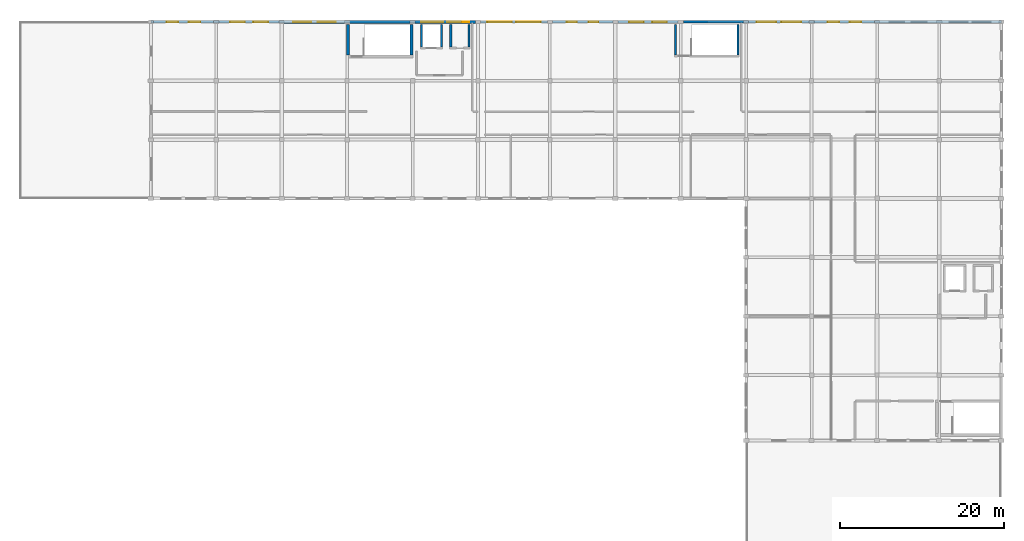
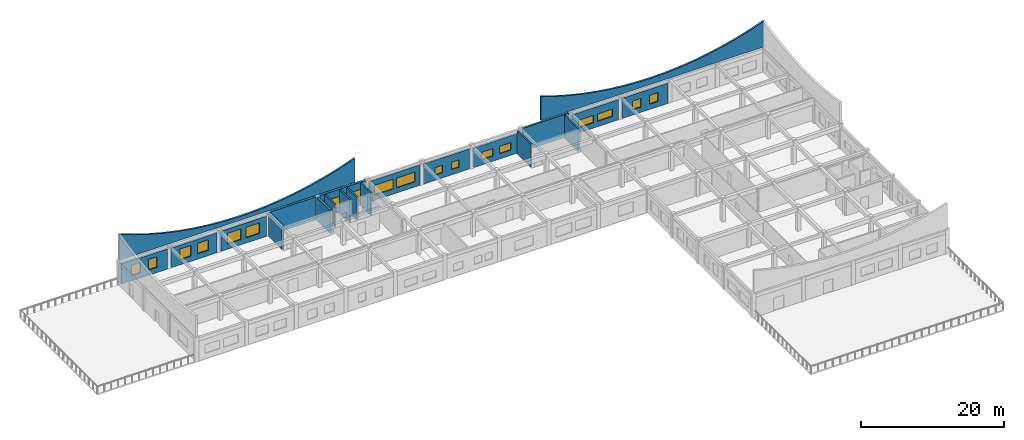
# One storey, part 8 of 10: 21 walls, 18 windows, 18 openings.
"""IFC4 building model written with IfcOpenShell, lengths in metres."""

from ifc_helpers import new_model, si_unit, direction, frame, frame_2d, origin, place, context, subcontext, project, spatial, polyline, rectangle, outline, extrude, material, layer, layer_set, type_object, element, fill, save


model = new_model("IFC4")

# Units and contexts
model_context = context("Model", 3, precision=1e-05, world=origin(), true_north=direction((0.0, 1.0)))
body_context = subcontext(model_context, "Body", "Model", "MODEL_VIEW")
ifc_project = project(units=[si_unit("LENGTHUNIT", "METRE"), si_unit("AREAUNIT", "SQUARE_METRE"), si_unit("VOLUMEUNIT", "CUBIC_METRE"), si_unit("PLANEANGLEUNIT", "RADIAN"), si_unit("MASSUNIT", "GRAM", prefix="KILO")], contexts=[model_context])

# Site, building, storey
site_placement = place(None, origin())
site = spatial("IfcSite", under=ifc_project, at=site_placement, CompositionType="ELEMENT")
building_placement = place(site_placement, origin())
building = spatial("IfcBuilding", under=site, at=building_placement, Name="Kharva Crest Polytechnic", CompositionType="ELEMENT")
storey_placement = place(building_placement, frame((0.0, 0.0, 25.800048828125)))
storey = spatial("IfcBuildingStorey", under=building, at=storey_placement, Name="L06", CompositionType="ELEMENT", Elevation=25.800048828125)

# Walls
ifc_material_1 = material(Name="Concrete C40/50", Category="concrete")
ifc_layer_1 = layer(ifc_material_1, 0.35009765625, Name="Concrete C40/50")
ifc_layer_set_1 = layer_set([ifc_layer_1], Name="Concrete C40/50")
wall_type_1 = type_object("IfcWallType", Name="WL-CORE-CW1-350", PredefinedType="SHEAR", material=ifc_layer_set_1)
for number, where, z_axis, x_axis, name in (
    (1, (104.125, 117.93994140625, 0.0), (0.0, 0.0, 1.0), (0.0, 1.0, 0.0), "L06 North Crest Firefighting Core C4 West Shear Wall"),
    (2, (111.875, 117.93994140625, 0.0), (0.0, 0.0, 1.0), (0.0, 1.0, 0.0), "L06 North Crest Firefighting Core C4 East Shear Wall"),
):
    element("IfcWall", number, at=place(storey_placement, frame(where, z_axis=z_axis, x_axis=x_axis)), inside=storey, type_object=wall_type_1, Name=name, PredefinedType="SHEAR", context=body_context, shape_type="SweptSolid", body=[
        extrude(rectangle(XDim=3.760009765625, YDim=0.35009765625, at=frame_2d((1.8798828125, 0.0))), origin(), (0.0, 0.0, 1.0), 3.919921875),
    ])

# Wall, openings, windows
ifc_material_2 = material(Name="Kiln brick masonry", Category="masonry")
ifc_layer_2 = layer(ifc_material_2, 0.260009765625, Name="Kiln brick masonry")
ifc_layer_set_2 = layer_set([ifc_layer_2], Name="Kiln brick masonry")
wall_type_2 = type_object("IfcWallType", Name="WL-EXT-BRK-260", PredefinedType="SOLIDWALL", material=ifc_layer_set_2)
wall_1_placement = place(storey_placement, frame((128.47998046875, 122.0, 0.0), z_axis=(0.0, 0.0, 1.0), x_axis=(-1.0, 0.0, 0.0)))
wall_1 = element("IfcWall", 3, at=wall_1_placement, inside=storey, type_object=wall_type_2, Name="L06 Exterior Brick Wall 480", PredefinedType="SOLIDWALL", context=body_context, shape_type="SweptSolid", body=[
    extrude(rectangle(XDim=8.159912109375, YDim=0.260009765625, at=frame_2d((4.080078125, 0.0))), origin(), (0.0, 0.0, 1.0), 3.474853515625),
])
opening_1_placement = place(wall_1_placement, frame((0.826904296875, 0.0, 0.89990234375)))
opening_1 = element("IfcOpeningElement", 4, at=opening_1_placement, cuts=wall_1, Name="Opening W23", PredefinedType="OPENING", context=body_context, shape_type="SweptSolid", body=[
    extrude(rectangle(XDim=3.0, YDim=1.64990234375, at=frame_2d((1.5, 0.824951171875))), frame((0.0, 0.139892578125, 0.0), z_axis=(0.0, -1.0, 0.0), x_axis=(1.0, 0.0, 0.0)), (0.0, 0.0, 1.0), 0.280029296875),
])
opening_2_placement = place(wall_1_placement, frame((4.3330078125, 0.0, 0.89990234375)))
opening_2 = element("IfcOpeningElement", 5, at=opening_2_placement, cuts=wall_1, Name="Opening W23", PredefinedType="OPENING", context=body_context, shape_type="SweptSolid", body=[
    extrude(rectangle(XDim=3.0, YDim=1.64990234375, at=frame_2d((1.5, 0.824951171875))), frame((0.0, 0.139892578125, 0.0), z_axis=(0.0, -1.0, 0.0), x_axis=(1.0, 0.0, 0.0)), (0.0, 0.0, 1.0), 0.280029296875),
])
ifc_material_3 = material(Name="Anodised aluminium", Category="aluminium")
window_type_1 = type_object("IfcWindowType", Name="WIN-ALU-3000X1650", PartitioningType="SINGLE_PANEL", PredefinedType="WINDOW", material=ifc_material_3)
window_1_placement = place(opening_1_placement, origin())
window_1 = element("IfcWindow", 6, at=window_1_placement, inside=storey, type_object=window_type_1, Name="L06 Exterior Window 688", OverallHeight=1.64990234375, OverallWidth=3.0, PartitioningType="SINGLE_PANEL", PredefinedType="WINDOW", context=body_context, shape_type="SweptSolid", body=[
    extrude(rectangle(XDim=3.0, YDim=1.64990234375, at=frame_2d((1.5, 0.824951171875))), frame((0.0, 0.030029296875, 0.0), z_axis=(0.0, -1.0, 0.0), x_axis=(1.0, 0.0, 0.0)), (0.0, 0.0, 1.0), 0.06005859375),
])
fill(opening_1, window_1)
window_2_placement = place(opening_2_placement, origin())
window_2 = element("IfcWindow", 7, at=window_2_placement, inside=storey, type_object=window_type_1, Name="L06 Exterior Window 689", OverallHeight=1.64990234375, OverallWidth=3.0, PartitioningType="SINGLE_PANEL", PredefinedType="WINDOW", context=body_context, shape_type="SweptSolid", body=[
    extrude(rectangle(XDim=3.0, YDim=1.64990234375, at=frame_2d((1.5, 0.824951171875))), frame((0.0, 0.030029296875, 0.0), z_axis=(0.0, -1.0, 0.0), x_axis=(1.0, 0.0, 0.0)), (0.0, 0.0, 1.0), 0.06005859375),
])
fill(opening_2, window_2)

ifc_layer_3 = layer(ifc_material_2, 0.27490234375, Name="Kiln brick masonry")
ifc_layer_set_3 = layer_set([ifc_layer_3], Name="Kiln brick masonry")
wall_type_3 = type_object("IfcWallType", Name="WL-EXT-BRK-275", PredefinedType="SOLIDWALL", material=ifc_layer_set_3)
wall_2_placement = place(storey_placement, frame((136.4951171875, 122.0, 0.0), z_axis=(0.0, 0.0, 1.0), x_axis=(-1.0, 0.0, 0.0)))
wall_2 = element("IfcWall", 8, at=wall_2_placement, inside=storey, type_object=wall_type_3, Name="L06 Exterior Brick Wall 479", PredefinedType="SOLIDWALL", context=body_context, shape_type="SweptSolid", body=[
    extrude(rectangle(XDim=7.375, YDim=0.27490234375, at=frame_2d((3.6875, 0.0))), origin(), (0.0, 0.0, 1.0), 3.425048828125),
])
opening_3_placement = place(wall_2_placement, frame((1.764892578125, 0.0, 0.89990234375)))
opening_3 = element("IfcOpeningElement", 9, at=opening_3_placement, cuts=wall_2, Name="Opening W21", PredefinedType="OPENING", context=body_context, shape_type="SweptSolid", body=[
    extrude(rectangle(XDim=1.199951171875, YDim=1.25, at=frame_2d((0.60009765625, 0.625))), frame((0.0, 0.1474609375, 0.0), z_axis=(0.0, -1.0, 0.0), x_axis=(1.0, 0.0, 0.0)), (0.0, 0.0, 1.0), 0.294921875),
])
opening_4_placement = place(wall_2_placement, frame((4.409912109375, 0.0, 0.89990234375)))
opening_4 = element("IfcOpeningElement", 10, at=opening_4_placement, cuts=wall_2, Name="Opening W21", PredefinedType="OPENING", context=body_context, shape_type="SweptSolid", body=[
    extrude(rectangle(XDim=1.199951171875, YDim=1.25, at=frame_2d((0.60009765625, 0.625))), frame((0.0, 0.1474609375, 0.0), z_axis=(0.0, -1.0, 0.0), x_axis=(1.0, 0.0, 0.0)), (0.0, 0.0, 1.0), 0.294921875),
])
window_type_2 = type_object("IfcWindowType", Name="WIN-ALU-1200X1250", PartitioningType="SINGLE_PANEL", PredefinedType="WINDOW", material=ifc_material_3)
window_3_placement = place(opening_3_placement, origin())
window_3 = element("IfcWindow", 11, at=window_3_placement, inside=storey, type_object=window_type_2, Name="L06 Exterior Window 686", OverallHeight=1.25, OverallWidth=1.199951171875, PartitioningType="SINGLE_PANEL", PredefinedType="WINDOW", context=body_context, shape_type="SweptSolid", body=[
    extrude(rectangle(XDim=1.199951171875, YDim=1.25, at=frame_2d((0.60009765625, 0.625))), frame((0.0, 0.030029296875, 0.0), z_axis=(0.0, -1.0, 0.0), x_axis=(1.0, 0.0, 0.0)), (0.0, 0.0, 1.0), 0.06005859375),
])
fill(opening_3, window_3)
window_4_placement = place(opening_4_placement, origin())
window_4 = element("IfcWindow", 12, at=window_4_placement, inside=storey, type_object=window_type_2, Name="L06 Exterior Window 687", OverallHeight=1.25, OverallWidth=1.199951171875, PartitioningType="SINGLE_PANEL", PredefinedType="WINDOW", context=body_context, shape_type="SweptSolid", body=[
    extrude(rectangle(XDim=1.199951171875, YDim=1.25, at=frame_2d((0.60009765625, 0.625))), frame((0.0, 0.030029296875, 0.0), z_axis=(0.0, -1.0, 0.0), x_axis=(1.0, 0.0, 0.0)), (0.0, 0.0, 1.0), 0.06005859375),
])
fill(opening_4, window_4)

ifc_layer_4 = layer(ifc_material_2, 0.2900390625, Name="Kiln brick masonry")
ifc_layer_set_4 = layer_set([ifc_layer_4], Name="Kiln brick masonry")
wall_type_4 = type_object("IfcWallType", Name="WL-EXT-BRK-290", PredefinedType="SOLIDWALL", material=ifc_layer_set_4)
wall_3_placement = place(storey_placement, frame((144.47998046875, 122.0, 0.0), z_axis=(0.0, 0.0, 1.0), x_axis=(-1.0, 0.0, 0.0)))
wall_3 = element("IfcWall", 13, at=wall_3_placement, inside=storey, type_object=wall_type_4, Name="L06 Exterior Brick Wall 478", PredefinedType="SOLIDWALL", context=body_context, shape_type="SweptSolid", body=[
    extrude(rectangle(XDim=7.375, YDim=0.2900390625, at=frame_2d((3.6875, 0.0))), origin(), (0.0, 0.0, 1.0), 3.324951171875),
])
opening_5_placement = place(wall_3_placement, frame((1.364990234375, 0.0, 0.89990234375)))
opening_5 = element("IfcOpeningElement", 14, at=opening_5_placement, cuts=wall_3, Name="Opening W19", PredefinedType="OPENING", context=body_context, shape_type="SweptSolid", body=[
    extrude(rectangle(XDim=1.800048828125, YDim=1.25, at=frame_2d((0.89990234375, 0.625))), frame((0.0, 0.155029296875, 0.0), z_axis=(0.0, -1.0, 0.0), x_axis=(1.0, 0.0, 0.0)), (0.0, 0.0, 1.0), 0.31005859375),
])
opening_6_placement = place(wall_3_placement, frame((4.2099609375, 0.0, 0.89990234375)))
opening_6 = element("IfcOpeningElement", 15, at=opening_6_placement, cuts=wall_3, Name="Opening W19", PredefinedType="OPENING", context=body_context, shape_type="SweptSolid", body=[
    extrude(rectangle(XDim=1.800048828125, YDim=1.25, at=frame_2d((0.89990234375, 0.625))), frame((0.0, 0.155029296875, 0.0), z_axis=(0.0, -1.0, 0.0), x_axis=(1.0, 0.0, 0.0)), (0.0, 0.0, 1.0), 0.31005859375),
])
window_type_3 = type_object("IfcWindowType", Name="WIN-ALU-1800X1250", PartitioningType="SINGLE_PANEL", PredefinedType="WINDOW", material=ifc_material_3)
window_5_placement = place(opening_5_placement, origin())
window_5 = element("IfcWindow", 16, at=window_5_placement, inside=storey, type_object=window_type_3, Name="L06 Exterior Window 684", OverallHeight=1.25, OverallWidth=1.800048828125, PartitioningType="SINGLE_PANEL", PredefinedType="WINDOW", context=body_context, shape_type="SweptSolid", body=[
    extrude(rectangle(XDim=1.800048828125, YDim=1.25, at=frame_2d((0.89990234375, 0.625))), frame((0.0, 0.030029296875, 0.0), z_axis=(0.0, -1.0, 0.0), x_axis=(1.0, 0.0, 0.0)), (0.0, 0.0, 1.0), 0.06005859375),
])
fill(opening_5, window_5)
window_6_placement = place(opening_6_placement, origin())
window_6 = element("IfcWindow", 17, at=window_6_placement, inside=storey, type_object=window_type_3, Name="L06 Exterior Window 685", OverallHeight=1.25, OverallWidth=1.800048828125, PartitioningType="SINGLE_PANEL", PredefinedType="WINDOW", context=body_context, shape_type="SweptSolid", body=[
    extrude(rectangle(XDim=1.800048828125, YDim=1.25, at=frame_2d((0.89990234375, 0.625))), frame((0.0, 0.030029296875, 0.0), z_axis=(0.0, -1.0, 0.0), x_axis=(1.0, 0.0, 0.0)), (0.0, 0.0, 1.0), 0.06005859375),
])
fill(opening_6, window_6)

# Wall
ifc_layer_5 = layer(ifc_material_2, 0.304931640625, Name="Kiln brick masonry")
ifc_layer_set_5 = layer_set([ifc_layer_5], Name="Kiln brick masonry")
wall_type_5 = type_object("IfcWallType", Name="WL-EXT-BRK-305", PredefinedType="SOLIDWALL", material=ifc_layer_set_5)
wall_4_placement = place(storey_placement, frame((152.4951171875, 122.0, 0.0), z_axis=(0.0, 0.0, 1.0), x_axis=(-1.0, 0.0, 0.0)))
element("IfcWall", 18, at=wall_4_placement, inside=storey, type_object=wall_type_5, Name="L06 Exterior Brick Wall 477", PredefinedType="SOLIDWALL", context=body_context, shape_type="SweptSolid", body=[
    extrude(rectangle(XDim=7.375, YDim=0.304931640625, at=frame_2d((3.6875, 0.0))), origin(), (0.0, 0.0, 1.0), 3.919921875),
])

# Wall, openings, windows
ifc_layer_6 = layer(ifc_material_2, 0.320068359375, Name="Kiln brick masonry")
ifc_layer_set_6 = layer_set([ifc_layer_6], Name="Kiln brick masonry")
wall_type_6 = type_object("IfcWallType", Name="WL-EXT-BRK-320", PredefinedType="SOLIDWALL", material=ifc_layer_set_6)
wall_5_placement = place(storey_placement, frame((160.47998046875, 122.0, 0.0), z_axis=(0.0, 0.0, 1.0), x_axis=(-1.0, 0.0, 0.0)))
wall_5 = element("IfcWall", 19, at=wall_5_placement, inside=storey, type_object=wall_type_6, Name="L06 Exterior Brick Wall 476", PredefinedType="SOLIDWALL", context=body_context, shape_type="SweptSolid", body=[
    extrude(rectangle(XDim=7.375, YDim=0.320068359375, at=frame_2d((3.6875, 0.0))), origin(), (0.0, 0.0, 1.0), 3.425048828125),
])
opening_7_placement = place(wall_5_placement, frame((0.965087890625, 0.0, 0.89990234375)))
opening_7 = element("IfcOpeningElement", 20, at=opening_7_placement, cuts=wall_5, Name="Opening W17", PredefinedType="OPENING", context=body_context, shape_type="SweptSolid", body=[
    extrude(rectangle(XDim=2.39990234375, YDim=1.25, at=frame_2d((1.199951171875, 0.625))), frame((0.0, 0.169921875, 0.0), z_axis=(0.0, -1.0, 0.0), x_axis=(1.0, 0.0, 0.0)), (0.0, 0.0, 1.0), 0.340087890625),
])
opening_8_placement = place(wall_5_placement, frame((4.010009765625, 0.0, 0.89990234375)))
opening_8 = element("IfcOpeningElement", 21, at=opening_8_placement, cuts=wall_5, Name="Opening W17", PredefinedType="OPENING", context=body_context, shape_type="SweptSolid", body=[
    extrude(rectangle(XDim=2.39990234375, YDim=1.25, at=frame_2d((1.199951171875, 0.625))), frame((0.0, 0.169921875, 0.0), z_axis=(0.0, -1.0, 0.0), x_axis=(1.0, 0.0, 0.0)), (0.0, 0.0, 1.0), 0.340087890625),
])
window_type_4 = type_object("IfcWindowType", Name="WIN-ALU-2400X1250", PartitioningType="SINGLE_PANEL", PredefinedType="WINDOW", material=ifc_material_3)
window_7_placement = place(opening_7_placement, origin())
window_7 = element("IfcWindow", 22, at=window_7_placement, inside=storey, type_object=window_type_4, Name="L06 Exterior Window 682", OverallHeight=1.25, OverallWidth=2.39990234375, PartitioningType="SINGLE_PANEL", PredefinedType="WINDOW", context=body_context, shape_type="SweptSolid", body=[
    extrude(rectangle(XDim=2.39990234375, YDim=1.25, at=frame_2d((1.199951171875, 0.625))), frame((0.0, 0.030029296875, 0.0), z_axis=(0.0, -1.0, 0.0), x_axis=(1.0, 0.0, 0.0)), (0.0, 0.0, 1.0), 0.06005859375),
])
fill(opening_7, window_7)
window_8_placement = place(opening_8_placement, origin())
window_8 = element("IfcWindow", 23, at=window_8_placement, inside=storey, type_object=window_type_4, Name="L06 Exterior Window 683", OverallHeight=1.25, OverallWidth=2.39990234375, PartitioningType="SINGLE_PANEL", PredefinedType="WINDOW", context=body_context, shape_type="SweptSolid", body=[
    extrude(rectangle(XDim=2.39990234375, YDim=1.25, at=frame_2d((1.199951171875, 0.625))), frame((0.0, 0.030029296875, 0.0), z_axis=(0.0, -1.0, 0.0), x_axis=(1.0, 0.0, 0.0)), (0.0, 0.0, 1.0), 0.06005859375),
])
fill(opening_8, window_8)

wall_6_placement = place(storey_placement, frame((87.679931640625, 122.0, 0.0), z_axis=(0.0, 0.0, 1.0), x_axis=(-1.0, 0.0, 0.0)))
wall_6 = element("IfcWall", 24, at=wall_6_placement, inside=storey, type_object=wall_type_6, Name="L06 Exterior Brick Wall 485", PredefinedType="SOLIDWALL", context=body_context, shape_type="SweptSolid", body=[
    extrude(rectangle(XDim=7.375, YDim=0.320068359375, at=frame_2d((3.6875, 0.0))), origin(), (0.0, 0.0, 1.0), 3.425048828125),
])
opening_9_placement = place(wall_6_placement, frame((1.632080078125, 0.0, 0.89990234375)))
opening_9 = element("IfcOpeningElement", 25, at=opening_9_placement, cuts=wall_6, Name="Opening W07", PredefinedType="OPENING", context=body_context, shape_type="SweptSolid", body=[
    extrude(rectangle(XDim=1.39990234375, YDim=1.800048828125, at=frame_2d((0.699951171875, 0.89990234375))), frame((0.0, 0.169921875, 0.0), z_axis=(0.0, -1.0, 0.0), x_axis=(1.0, 0.0, 0.0)), (0.0, 0.0, 1.0), 0.340087890625),
])
opening_10_placement = place(wall_6_placement, frame((4.343017578125, 0.0, 0.89990234375)))
opening_10 = element("IfcOpeningElement", 26, at=opening_10_placement, cuts=wall_6, Name="Opening W07", PredefinedType="OPENING", context=body_context, shape_type="SweptSolid", body=[
    extrude(rectangle(XDim=1.39990234375, YDim=1.800048828125, at=frame_2d((0.699951171875, 0.89990234375))), frame((0.0, 0.169921875, 0.0), z_axis=(0.0, -1.0, 0.0), x_axis=(1.0, 0.0, 0.0)), (0.0, 0.0, 1.0), 0.340087890625),
])
window_type_5 = type_object("IfcWindowType", Name="WIN-ALU-1400X1800", PartitioningType="SINGLE_PANEL", PredefinedType="WINDOW", material=ifc_material_3)
window_9_placement = place(opening_9_placement, origin())
window_9 = element("IfcWindow", 27, at=window_9_placement, inside=storey, type_object=window_type_5, Name="L06 Exterior Window 696", OverallHeight=1.800048828125, OverallWidth=1.39990234375, PartitioningType="SINGLE_PANEL", PredefinedType="WINDOW", context=body_context, shape_type="SweptSolid", body=[
    extrude(rectangle(XDim=1.39990234375, YDim=1.800048828125, at=frame_2d((0.699951171875, 0.89990234375))), frame((0.0, 0.030029296875, 0.0), z_axis=(0.0, -1.0, 0.0), x_axis=(1.0, 0.0, 0.0)), (0.0, 0.0, 1.0), 0.06005859375),
])
fill(opening_9, window_9)
window_10_placement = place(opening_10_placement, origin())
window_10 = element("IfcWindow", 28, at=window_10_placement, inside=storey, type_object=window_type_5, Name="L06 Exterior Window 697", OverallHeight=1.800048828125, OverallWidth=1.39990234375, PartitioningType="SINGLE_PANEL", PredefinedType="WINDOW", context=body_context, shape_type="SweptSolid", body=[
    extrude(rectangle(XDim=1.39990234375, YDim=1.800048828125, at=frame_2d((0.699951171875, 0.89990234375))), frame((0.0, 0.030029296875, 0.0), z_axis=(0.0, -1.0, 0.0), x_axis=(1.0, 0.0, 0.0)), (0.0, 0.0, 1.0), 0.06005859375),
])
fill(opening_10, window_10)

ifc_layer_7 = layer(ifc_material_2, 0.3349609375, Name="Kiln brick masonry")
ifc_layer_set_7 = layer_set([ifc_layer_7], Name="Kiln brick masonry")
wall_type_7 = type_object("IfcWallType", Name="WL-EXT-BRK-335", PredefinedType="SOLIDWALL", material=ifc_layer_set_7)
wall_7_placement = place(storey_placement, frame((168.4951171875, 122.0, 0.0), z_axis=(0.0, 0.0, 1.0), x_axis=(-1.0, 0.0, 0.0)))
wall_7 = element("IfcWall", 29, at=wall_7_placement, inside=storey, type_object=wall_type_7, Name="L06 Exterior Brick Wall 475", PredefinedType="SOLIDWALL", context=body_context, shape_type="SweptSolid", body=[
    extrude(rectangle(XDim=7.375, YDim=0.3349609375, at=frame_2d((3.6875, 0.0))), origin(), (0.0, 0.0, 1.0), 3.425048828125),
])
opening_11_placement = place(wall_7_placement, frame((1.632080078125, 0.0, 0.89990234375)))
opening_11 = element("IfcOpeningElement", 30, at=opening_11_placement, cuts=wall_7, Name="Opening W15", PredefinedType="OPENING", context=body_context, shape_type="SweptSolid", body=[
    extrude(rectangle(XDim=1.39990234375, YDim=1.5, at=frame_2d((0.699951171875, 0.75))), frame((0.0, 0.177490234375, 0.0), z_axis=(0.0, -1.0, 0.0), x_axis=(1.0, 0.0, 0.0)), (0.0, 0.0, 1.0), 0.35498046875),
])
opening_12_placement = place(wall_7_placement, frame((4.343017578125, 0.0, 0.89990234375)))
opening_12 = element("IfcOpeningElement", 31, at=opening_12_placement, cuts=wall_7, Name="Opening W15", PredefinedType="OPENING", context=body_context, shape_type="SweptSolid", body=[
    extrude(rectangle(XDim=1.39990234375, YDim=1.5, at=frame_2d((0.699951171875, 0.75))), frame((0.0, 0.177490234375, 0.0), z_axis=(0.0, -1.0, 0.0), x_axis=(1.0, 0.0, 0.0)), (0.0, 0.0, 1.0), 0.35498046875),
])
window_type_6 = type_object("IfcWindowType", Name="WIN-ALU-1400X1500", PartitioningType="SINGLE_PANEL", PredefinedType="WINDOW", material=ifc_material_3)
window_11_placement = place(opening_11_placement, origin())
window_11 = element("IfcWindow", 32, at=window_11_placement, inside=storey, type_object=window_type_6, Name="L06 Exterior Window 680", OverallHeight=1.5, OverallWidth=1.39990234375, PartitioningType="SINGLE_PANEL", PredefinedType="WINDOW", context=body_context, shape_type="SweptSolid", body=[
    extrude(rectangle(XDim=1.39990234375, YDim=1.5, at=frame_2d((0.699951171875, 0.75))), frame((0.0, 0.030029296875, 0.0), z_axis=(0.0, -1.0, 0.0), x_axis=(1.0, 0.0, 0.0)), (0.0, 0.0, 1.0), 0.06005859375),
])
fill(opening_11, window_11)
window_12_placement = place(opening_12_placement, origin())
window_12 = element("IfcWindow", 33, at=window_12_placement, inside=storey, type_object=window_type_6, Name="L06 Exterior Window 681", OverallHeight=1.5, OverallWidth=1.39990234375, PartitioningType="SINGLE_PANEL", PredefinedType="WINDOW", context=body_context, shape_type="SweptSolid", body=[
    extrude(rectangle(XDim=1.39990234375, YDim=1.5, at=frame_2d((0.699951171875, 0.75))), frame((0.0, 0.030029296875, 0.0), z_axis=(0.0, -1.0, 0.0), x_axis=(1.0, 0.0, 0.0)), (0.0, 0.0, 1.0), 0.06005859375),
])
fill(opening_12, window_12)

wall_8_placement = place(storey_placement, frame((95.695068359375, 122.0, 0.0), z_axis=(0.0, 0.0, 1.0), x_axis=(-1.0, 0.0, 0.0)))
wall_8 = element("IfcWall", 34, at=wall_8_placement, inside=storey, type_object=wall_type_7, Name="L06 Exterior Brick Wall 484", PredefinedType="SOLIDWALL", context=body_context, shape_type="SweptSolid", body=[
    extrude(rectangle(XDim=7.375, YDim=0.3349609375, at=frame_2d((3.6875, 0.0))), origin(), (0.0, 0.0, 1.0), 3.375),
])
opening_13_placement = place(wall_8_placement, frame((1.364990234375, 0.0, 0.89990234375)))
opening_13 = element("IfcOpeningElement", 35, at=opening_13_placement, cuts=wall_8, Name="Opening W05", PredefinedType="OPENING", context=body_context, shape_type="SweptSolid", body=[
    extrude(rectangle(XDim=1.800048828125, YDim=1.800048828125, at=frame_2d((0.89990234375, 0.89990234375))), frame((0.0, 0.177490234375, 0.0), z_axis=(0.0, -1.0, 0.0), x_axis=(1.0, 0.0, 0.0)), (0.0, 0.0, 1.0), 0.35498046875),
])
opening_14_placement = place(wall_8_placement, frame((4.2099609375, 0.0, 0.89990234375)))
opening_14 = element("IfcOpeningElement", 36, at=opening_14_placement, cuts=wall_8, Name="Opening W05", PredefinedType="OPENING", context=body_context, shape_type="SweptSolid", body=[
    extrude(rectangle(XDim=1.800048828125, YDim=1.800048828125, at=frame_2d((0.89990234375, 0.89990234375))), frame((0.0, 0.177490234375, 0.0), z_axis=(0.0, -1.0, 0.0), x_axis=(1.0, 0.0, 0.0)), (0.0, 0.0, 1.0), 0.35498046875),
])
window_type_7 = type_object("IfcWindowType", Name="WIN-ALU-1800X1800", PartitioningType="SINGLE_PANEL", PredefinedType="WINDOW", material=ifc_material_3)
window_13_placement = place(opening_13_placement, origin())
window_13 = element("IfcWindow", 37, at=window_13_placement, inside=storey, type_object=window_type_7, Name="L06 Exterior Window 694", OverallHeight=1.800048828125, OverallWidth=1.800048828125, PartitioningType="SINGLE_PANEL", PredefinedType="WINDOW", context=body_context, shape_type="SweptSolid", body=[
    extrude(rectangle(XDim=1.800048828125, YDim=1.800048828125, at=frame_2d((0.89990234375, 0.89990234375))), frame((0.0, 0.030029296875, 0.0), z_axis=(0.0, -1.0, 0.0), x_axis=(1.0, 0.0, 0.0)), (0.0, 0.0, 1.0), 0.06005859375),
])
fill(opening_13, window_13)
window_14_placement = place(opening_14_placement, origin())
window_14 = element("IfcWindow", 38, at=window_14_placement, inside=storey, type_object=window_type_7, Name="L06 Exterior Window 695", OverallHeight=1.800048828125, OverallWidth=1.800048828125, PartitioningType="SINGLE_PANEL", PredefinedType="WINDOW", context=body_context, shape_type="SweptSolid", body=[
    extrude(rectangle(XDim=1.800048828125, YDim=1.800048828125, at=frame_2d((0.89990234375, 0.89990234375))), frame((0.0, 0.030029296875, 0.0), z_axis=(0.0, -1.0, 0.0), x_axis=(1.0, 0.0, 0.0)), (0.0, 0.0, 1.0), 0.06005859375),
])
fill(opening_14, window_14)

ifc_layer_8 = layer(ifc_material_2, 0.35009765625, Name="Kiln brick masonry")
ifc_layer_set_8 = layer_set([ifc_layer_8], Name="Kiln brick masonry")
wall_type_8 = type_object("IfcWallType", Name="WL-EXT-BRK-350", PredefinedType="SOLIDWALL", material=ifc_layer_set_8)
wall_9_placement = place(storey_placement, frame((103.679931640625, 122.0, 0.0), z_axis=(0.0, 0.0, 1.0), x_axis=(-1.0, 0.0, 0.0)))
wall_9 = element("IfcWall", 39, at=wall_9_placement, inside=storey, type_object=wall_type_8, Name="L06 Exterior Brick Wall 483", PredefinedType="SOLIDWALL", context=body_context, shape_type="SweptSolid", body=[
    extrude(rectangle(XDim=7.375, YDim=0.35009765625, at=frame_2d((3.6875, 0.0))), origin(), (0.0, 0.0, 1.0), 3.425048828125),
])
opening_15_placement = place(wall_9_placement, frame((1.097900390625, 0.0, 0.89990234375)))
opening_15 = element("IfcOpeningElement", 40, at=opening_15_placement, cuts=wall_9, Name="Opening W03", PredefinedType="OPENING", context=body_context, shape_type="SweptSolid", body=[
    extrude(rectangle(XDim=2.199951171875, YDim=1.800048828125, at=frame_2d((1.10009765625, 0.89990234375))), frame((0.0, 0.18505859375, 0.0), z_axis=(0.0, -1.0, 0.0), x_axis=(1.0, 0.0, 0.0)), (0.0, 0.0, 1.0), 0.3701171875),
])
opening_16_placement = place(wall_9_placement, frame((4.076904296875, 0.0, 0.89990234375)))
opening_16 = element("IfcOpeningElement", 41, at=opening_16_placement, cuts=wall_9, Name="Opening W03", PredefinedType="OPENING", context=body_context, shape_type="SweptSolid", body=[
    extrude(rectangle(XDim=2.199951171875, YDim=1.800048828125, at=frame_2d((1.10009765625, 0.89990234375))), frame((0.0, 0.18505859375, 0.0), z_axis=(0.0, -1.0, 0.0), x_axis=(1.0, 0.0, 0.0)), (0.0, 0.0, 1.0), 0.3701171875),
])
window_type_8 = type_object("IfcWindowType", Name="WIN-ALU-2200X1800", PartitioningType="SINGLE_PANEL", PredefinedType="WINDOW", material=ifc_material_3)
window_15_placement = place(opening_15_placement, origin())
window_15 = element("IfcWindow", 42, at=window_15_placement, inside=storey, type_object=window_type_8, Name="L06 Exterior Window 692", OverallHeight=1.800048828125, OverallWidth=2.199951171875, PartitioningType="SINGLE_PANEL", PredefinedType="WINDOW", context=body_context, shape_type="SweptSolid", body=[
    extrude(rectangle(XDim=2.199951171875, YDim=1.800048828125, at=frame_2d((1.10009765625, 0.89990234375))), frame((0.0, 0.030029296875, 0.0), z_axis=(0.0, -1.0, 0.0), x_axis=(1.0, 0.0, 0.0)), (0.0, 0.0, 1.0), 0.06005859375),
])
fill(opening_15, window_15)
window_16_placement = place(opening_16_placement, origin())
window_16 = element("IfcWindow", 43, at=window_16_placement, inside=storey, type_object=window_type_8, Name="L06 Exterior Window 693", OverallHeight=1.800048828125, OverallWidth=2.199951171875, PartitioningType="SINGLE_PANEL", PredefinedType="WINDOW", context=body_context, shape_type="SweptSolid", body=[
    extrude(rectangle(XDim=2.199951171875, YDim=1.800048828125, at=frame_2d((1.10009765625, 0.89990234375))), frame((0.0, 0.030029296875, 0.0), z_axis=(0.0, -1.0, 0.0), x_axis=(1.0, 0.0, 0.0)), (0.0, 0.0, 1.0), 0.06005859375),
])
fill(opening_16, window_16)

# Wall
ifc_layer_9 = layer(ifc_material_2, 0.364990234375, Name="Kiln brick masonry")
ifc_layer_set_9 = layer_set([ifc_layer_9], Name="Kiln brick masonry")
wall_type_9 = type_object("IfcWallType", Name="WL-EXT-BRK-365", PredefinedType="SOLIDWALL", material=ifc_layer_set_9)
wall_10_placement = place(storey_placement, frame((111.695068359375, 122.0, 0.0), z_axis=(0.0, 0.0, 1.0), x_axis=(-1.0, 0.0, 0.0)))
element("IfcWall", 44, at=wall_10_placement, inside=storey, type_object=wall_type_9, Name="L06 Exterior Brick Wall 482", PredefinedType="SOLIDWALL", context=body_context, shape_type="SweptSolid", body=[
    extrude(rectangle(XDim=7.375, YDim=0.364990234375, at=frame_2d((3.6875, 0.0))), origin(), (0.0, 0.0, 1.0), 3.919921875),
])

# Wall, openings, windows
ifc_layer_10 = layer(ifc_material_2, 0.3798828125, Name="Kiln brick masonry")
ifc_layer_set_10 = layer_set([ifc_layer_10], Name="Kiln brick masonry")
wall_type_10 = type_object("IfcWallType", Name="WL-EXT-BRK-380", PredefinedType="SOLIDWALL", material=ifc_layer_set_10)
wall_11_placement = place(storey_placement, frame((119.679931640625, 122.0, 0.0), z_axis=(0.0, 0.0, 1.0), x_axis=(-1.0, 0.0, 0.0)))
wall_11 = element("IfcWall", 45, at=wall_11_placement, inside=storey, type_object=wall_type_10, Name="L06 Exterior Brick Wall 481", PredefinedType="SOLIDWALL", context=body_context, shape_type="SweptSolid", body=[
    extrude(rectangle(XDim=7.375, YDim=0.3798828125, at=frame_2d((3.6875, 0.0))), origin(), (0.0, 0.0, 1.0), 3.919921875),
])
opening_17_placement = place(wall_11_placement, frame((0.764892578125, 0.0, 0.89990234375)))
opening_17 = element("IfcOpeningElement", 46, at=opening_17_placement, cuts=wall_11, Name="Opening W01", PredefinedType="OPENING", context=body_context, shape_type="SweptSolid", body=[
    extrude(rectangle(XDim=2.699951171875, YDim=1.800048828125, at=frame_2d((1.35009765625, 0.89990234375))), frame((0.0, 0.199951171875, 0.0), z_axis=(0.0, -1.0, 0.0), x_axis=(1.0, 0.0, 0.0)), (0.0, 0.0, 1.0), 0.39990234375),
])
opening_18_placement = place(wall_11_placement, frame((3.909912109375, 0.0, 0.89990234375)))
opening_18 = element("IfcOpeningElement", 47, at=opening_18_placement, cuts=wall_11, Name="Opening W01", PredefinedType="OPENING", context=body_context, shape_type="SweptSolid", body=[
    extrude(rectangle(XDim=2.699951171875, YDim=1.800048828125, at=frame_2d((1.35009765625, 0.89990234375))), frame((0.0, 0.199951171875, 0.0), z_axis=(0.0, -1.0, 0.0), x_axis=(1.0, 0.0, 0.0)), (0.0, 0.0, 1.0), 0.39990234375),
])
window_type_9 = type_object("IfcWindowType", Name="WIN-ALU-2700X1800", PartitioningType="SINGLE_PANEL", PredefinedType="WINDOW", material=ifc_material_3)
window_17_placement = place(opening_17_placement, origin())
window_17 = element("IfcWindow", 48, at=window_17_placement, inside=storey, type_object=window_type_9, Name="L06 Exterior Window 690", OverallHeight=1.800048828125, OverallWidth=2.699951171875, PartitioningType="SINGLE_PANEL", PredefinedType="WINDOW", context=body_context, shape_type="SweptSolid", body=[
    extrude(rectangle(XDim=2.699951171875, YDim=1.800048828125, at=frame_2d((1.35009765625, 0.89990234375))), frame((0.0, 0.030029296875, 0.0), z_axis=(0.0, -1.0, 0.0), x_axis=(1.0, 0.0, 0.0)), (0.0, 0.0, 1.0), 0.06005859375),
])
fill(opening_17, window_17)
window_18_placement = place(opening_18_placement, origin())
window_18 = element("IfcWindow", 49, at=window_18_placement, inside=storey, type_object=window_type_9, Name="L06 Exterior Window 691", OverallHeight=1.800048828125, OverallWidth=2.699951171875, PartitioningType="SINGLE_PANEL", PredefinedType="WINDOW", context=body_context, shape_type="SweptSolid", body=[
    extrude(rectangle(XDim=2.699951171875, YDim=1.800048828125, at=frame_2d((1.35009765625, 0.89990234375))), frame((0.0, 0.030029296875, 0.0), z_axis=(0.0, -1.0, 0.0), x_axis=(1.0, 0.0, 0.0)), (0.0, 0.0, 1.0), 0.06005859375),
])
fill(opening_18, window_18)

# Walls
ifc_layer_11 = layer(ifc_material_2, 0.294921875, Name="Kiln brick masonry")
ifc_layer_set_11 = layer_set([ifc_layer_11], Name="Kiln brick masonry")
wall_type_11 = type_object("IfcWallType", Name="WL-PAR-CREST-295", PredefinedType="PARAPET", material=ifc_layer_set_11)
wall_12_placement = place(storey_placement, frame((80.0, 122.0, 4.199951171875), z_axis=(0.0, 0.0, 1.0), x_axis=(1.0, 0.0, 0.0)))
element("IfcWall", 50, at=wall_12_placement, inside=storey, type_object=wall_type_11, Name="L06 Bowed Brick Gable Crest 4", PredefinedType="PARAPET", context=body_context, shape_type="SweptSolid", body=[
    extrude(outline(polyline([(0.0, 0.0), (38.0, 0.0), (38.0, 4.10009765625), (35.625, 3.254638671875), (33.25, 2.5361328125), (30.875, 1.938720703125), (28.5, 1.45849609375), (26.125, 1.091796875), (23.75, 0.836669921875), (21.375, 0.69091796875), (19.0, 0.654296875), (16.625, 0.725830078125), (14.25, 0.90673828125), (11.875, 1.197509765625), (9.5, 1.600341796875), (7.125, 2.117919921875), (4.75, 2.75390625), (2.375, 3.5126953125), (0.0, 4.39990234375), (0.0, 0.0)])), frame((0.0, 0.1474609375, 0.0), z_axis=(0.0, -1.0, 0.0), x_axis=(1.0, 0.0, 0.0)), (0.0, 0.0, 1.0), 0.294921875),
])
wall_13_placement = place(storey_placement, frame((148.0, 122.0, 4.199951171875), z_axis=(0.0, 0.0, 1.0), x_axis=(1.0, 0.0, 0.0)))
element("IfcWall", 51, at=wall_13_placement, inside=storey, type_object=wall_type_11, Name="L06 Bowed Brick Gable Crest 5", PredefinedType="PARAPET", context=body_context, shape_type="SweptSolid", body=[
    extrude(outline(polyline([(0.0, 0.0), (36.0, 0.0), (36.0, 4.39990234375), (33.75, 3.60693359375), (31.5, 2.92724609375), (29.25, 2.356689453125), (27.0, 1.89111328125), (24.75, 1.528076171875), (22.5, 1.265380859375), (20.25, 1.101318359375), (18.0, 1.034912109375), (15.75, 1.06591796875), (13.5, 1.194580078125), (11.25, 1.421630859375), (9.0, 1.748291015625), (6.75, 2.176513671875), (4.5, 2.708740234375), (2.25, 3.3486328125), (0.0, 4.10009765625), (0.0, 0.0)])), frame((0.0, 0.1474609375, 0.0), z_axis=(0.0, -1.0, 0.0), x_axis=(1.0, 0.0, 0.0)), (0.0, 0.0, 1.0), 0.294921875),
])
ifc_layer_12 = layer(ifc_material_1, 0.25, Name="Concrete C40/50")
ifc_layer_set_12 = layer_set([ifc_layer_12], Name="Concrete C40/50")
wall_type_12 = type_object("IfcWallType", Name="WL-SHEAR-SW1-250", PredefinedType="SHEAR", material=ifc_layer_set_12)
for number, where, z_axis, x_axis, name in (
    (52, (113.074951171875, 118.89990234375, 0.0), (0.0, 0.0, 1.0), (0.0, 1.0, 0.0), "L06 Lift FL1 West Shaft Wall"),
    (53, (115.52490234375, 118.89990234375, 0.0), (0.0, 0.0, 1.0), (0.0, 1.0, 0.0), "L06 Lift FL1 East Shaft Wall"),
    (54, (116.675048828125, 118.89990234375, 0.0), (0.0, 0.0, 1.0), (0.0, 1.0, 0.0), "L06 Core C4 Riser West Wall"),
    (55, (118.925048828125, 118.89990234375, 0.0), (0.0, 0.0, 1.0), (0.0, 1.0, 0.0), "L06 Core C4 Riser East Wall"),
):
    element("IfcWall", number, at=place(storey_placement, frame(where, z_axis=z_axis, x_axis=x_axis)), inside=storey, type_object=wall_type_12, Name=name, PredefinedType="SHEAR", context=body_context, shape_type="SweptSolid", body=[
        extrude(rectangle(XDim=2.800048828125, YDim=0.25, at=frame_2d((1.39990234375, 0.0))), origin(), (0.0, 0.0, 1.0), 3.919921875),
    ])
for number, where, z_axis, x_axis, name in (
    (56, (144.175048828125, 117.93994140625, 0.0), (0.0, 0.0, 1.0), (0.0, 1.0, 0.0), "L06 North-East Library Wing Stair C9 West Shear Wall"),
    (57, (151.824951171875, 117.93994140625, 0.0), (0.0, 0.0, 1.0), (0.0, 1.0, 0.0), "L06 North-East Library Wing Stair C9 East Shear Wall"),
):
    element("IfcWall", number, at=place(storey_placement, frame(where, z_axis=z_axis, x_axis=x_axis)), inside=storey, type_object=wall_type_12, Name=name, PredefinedType="SHEAR", context=body_context, shape_type="SweptSolid", body=[
        extrude(rectangle(XDim=3.760009765625, YDim=0.25, at=frame_2d((1.8798828125, 0.0))), origin(), (0.0, 0.0, 1.0), 3.919921875),
    ])

save(model, "model.ifc")
